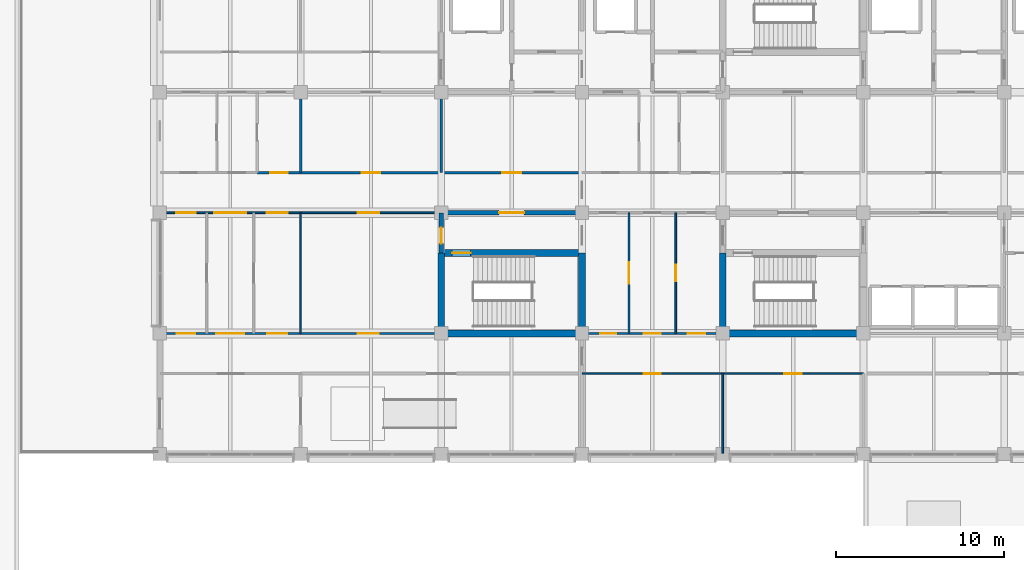
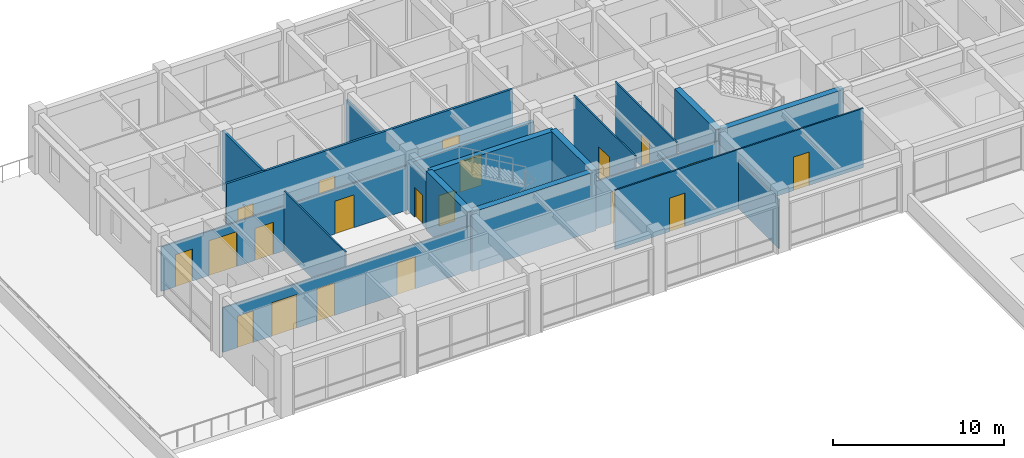
# One storey, part 20 of 40: 21 doors, 19 walls, 21 openings.
"""IFC4 building model written with IfcOpenShell, lengths in metres."""

from ifc_helpers import new_model, si_unit, direction, frame, frame_2d, origin, place, context, subcontext, project, spatial, rectangle, extrude, material, layer, layer_set, type_object, element, fill, save


model = new_model("IFC4")

# Units and contexts
model_context = context("Model", 3, precision=1e-05, world=origin(), true_north=direction((0.0, 1.0)))
body_context = subcontext(model_context, "Body", "Model", "MODEL_VIEW")
ifc_project = project(units=[si_unit("LENGTHUNIT", "METRE"), si_unit("AREAUNIT", "SQUARE_METRE"), si_unit("VOLUMEUNIT", "CUBIC_METRE"), si_unit("PLANEANGLEUNIT", "RADIAN"), si_unit("MASSUNIT", "GRAM", prefix="KILO")], contexts=[model_context])

# Site, building, storey
site_placement = place(None, origin())
site = spatial("IfcSite", under=ifc_project, at=site_placement, CompositionType="ELEMENT")
building_placement = place(site_placement, origin())
building = spatial("IfcBuilding", under=site, at=building_placement, Name="Chengyuan Square Courthouse", CompositionType="ELEMENT")
storey_placement = place(building_placement, frame((0.0, 0.0, 21.60009765625)))
storey = spatial("IfcBuildingStorey", under=building, at=storey_placement, Name="L05", CompositionType="ELEMENT", Elevation=21.60009765625)

# Wall, opening, door
ifc_material_1 = material(Name="Concrete C40", Category="concrete")
ifc_layer_1 = layer(ifc_material_1, 0.25)
ifc_layer_set_1 = layer_set([ifc_layer_1], Name="Concrete C40")
wall_type_1 = type_object("IfcWallType", Name="WL-FW1", PredefinedType="STANDARD", material=ifc_layer_set_1)
wall_1_placement = place(storey_placement, frame((42.0, 93.60009765625, 0.0), z_axis=(0.0, 0.0, 1.0), x_axis=(1.0, 0.0, 0.0)))
wall_1 = element("IfcWall", 1, at=wall_1_placement, inside=storey, type_object=wall_type_1, Name="Interior Wall WL-L05-I2135", PredefinedType="STANDARD", context=body_context, shape_type="SweptSolid", body=[
    extrude(rectangle(XDim=8.39990234375, YDim=0.25, at=frame_2d((4.199951171875, 0.0))), origin(), (0.0, 0.0, 1.0), 3.389892578125),
])
opening_1_placement = place(wall_1_placement, frame((3.449951171875, 0.0, 0.0)))
opening_1 = element("IfcOpeningElement", 2, at=opening_1_placement, cuts=wall_1, Name="Opening DR-1937", PredefinedType="OPENING", context=body_context, shape_type="SweptSolid", body=[
    extrude(rectangle(XDim=1.5, YDim=2.25, at=frame_2d((0.75, 1.125))), frame((0.0, 0.136962890625, 0.0), z_axis=(0.0, -1.0, 0.0), x_axis=(1.0, 0.0, 0.0)), (0.0, 0.0, 1.0), 0.27392578125),
])
ifc_material_2 = material(Name="Steel Q235B Glazed Fire Door", Category="steel")
door_type_1 = type_object("IfcDoorType", Name="DT-19", OperationType="DOUBLE_DOOR_SINGLE_SWING", PredefinedType="DOOR", material=ifc_material_2)
door_1_placement = place(opening_1_placement, frame((1.5, 0.0, 0.0), z_axis=(0.0, 0.0, 1.0), x_axis=(-1.0, 0.0, 0.0)))
door_1 = element("IfcDoor", 3, at=door_1_placement, inside=storey, type_object=door_type_1, Name="Interior Door DR-1937", OperationType="DOUBLE_DOOR_SINGLE_SWING", OverallHeight=2.25, OverallWidth=1.5, PredefinedType="DOOR", context=body_context, shape_type="SweptSolid", body=[
    extrude(rectangle(XDim=1.5, YDim=2.25, at=frame_2d((0.75, 1.125))), frame((0.0, 0.02490234375, 0.0), z_axis=(0.0, -1.0, 0.0), x_axis=(1.0, 0.0, 0.0)), (0.0, 0.0, 1.0), 0.050048828125),
])
fill(opening_1, door_1)

wall_2_placement = place(storey_placement, frame((42.0, 91.199951171875, 0.0), z_axis=(0.0, 0.0, 1.0), x_axis=(0.0, 1.0, 0.0)))
wall_2 = element("IfcWall", 4, at=wall_2_placement, inside=storey, type_object=wall_type_1, Name="Interior Wall WL-L05-I2232", PredefinedType="STANDARD", context=body_context, shape_type="SweptSolid", body=[
    extrude(rectangle(XDim=2.400146484375, YDim=0.25, at=frame_2d((1.2001953125, 0.0))), origin(), (0.0, 0.0, 1.0), 3.489990234375),
])
opening_2_placement = place(wall_2_placement, frame((0.56494140625, 0.0, 0.0)))
opening_2 = element("IfcOpeningElement", 5, at=opening_2_placement, cuts=wall_2, Name="Opening DR-1938", PredefinedType="OPENING", context=body_context, shape_type="SweptSolid", body=[
    extrude(rectangle(XDim=0.949951171875, YDim=2.14990234375, at=frame_2d((0.47509765625, 1.074951171875))), frame((0.0, 0.136962890625, 0.0), z_axis=(0.0, -1.0, 0.0), x_axis=(1.0, 0.0, 0.0)), (0.0, 0.0, 1.0), 0.27392578125),
])
ifc_material_3 = material(Name="Steel Q235B Fire Door", Category="steel")
door_type_2 = type_object("IfcDoorType", Name="DT-12", OperationType="NOTDEFINED", PredefinedType="DOOR", material=ifc_material_3)
door_2_placement = place(opening_2_placement, origin())
door_2 = element("IfcDoor", 6, at=door_2_placement, inside=storey, type_object=door_type_2, Name="Interior Door DR-1938", OperationType="SINGLE_SWING_RIGHT", OverallHeight=2.14990234375, OverallWidth=0.949951171875, PredefinedType="DOOR", context=body_context, shape_type="SweptSolid", body=[
    extrude(rectangle(XDim=0.949951171875, YDim=2.14990234375, at=frame_2d((0.47509765625, 1.074951171875))), frame((0.0, 0.02490234375, 0.0), z_axis=(0.0, -1.0, 0.0), x_axis=(1.0, 0.0, 0.0)), (0.0, 0.0, 1.0), 0.050048828125),
])
fill(opening_2, door_2)

# Wall, openings, doors
ifc_material_4 = material(Name="Deliberation Room Sound-Insulated Partition")
ifc_layer_2 = layer(ifc_material_4, 0.14990234375)
ifc_layer_set_2 = layer_set([ifc_layer_2], Name="Deliberation Room Sound-Insulated Partition")
wall_type_2 = type_object("IfcWallType", Name="WL-PT3", PredefinedType="STANDARD", material=ifc_layer_set_2)
wall_3_placement = place(storey_placement, frame((31.0, 96.0, 0.0), z_axis=(0.0, 0.0, 1.0), x_axis=(1.0, 0.0, 0.0)))
wall_3 = element("IfcWall", 7, at=wall_3_placement, inside=storey, type_object=wall_type_2, Name="Interior Wall WL-L05-I2144", PredefinedType="STANDARD", context=body_context, shape_type="SweptSolid", body=[
    extrude(rectangle(XDim=19.39990234375, YDim=0.14990234375, at=frame_2d((9.699951171875, 0.0))), origin(), (0.0, 0.0, 1.0), 4.239990234375),
])
opening_3_placement = place(wall_3_placement, frame((0.780029296875, 0.0, 0.0)))
opening_3 = element("IfcOpeningElement", 8, at=opening_3_placement, cuts=wall_3, Name="Opening DR-2006", PredefinedType="OPENING", context=body_context, shape_type="SweptSolid", body=[
    extrude(rectangle(XDim=1.0400390625, YDim=2.199951171875, at=frame_2d((0.52001953125, 1.10009765625))), frame((0.0, 0.0869140625, 0.0), z_axis=(0.0, -1.0, 0.0), x_axis=(1.0, 0.0, 0.0)), (0.0, 0.0, 1.0), 0.173828125),
])
opening_4_placement = place(wall_3_placement, frame((6.260009765625, 0.0, 0.0)))
opening_4 = element("IfcOpeningElement", 9, at=opening_4_placement, cuts=wall_3, Name="Opening DR-2007", PredefinedType="OPENING", context=body_context, shape_type="SweptSolid", body=[
    extrude(rectangle(XDim=1.080078125, YDim=2.25, at=frame_2d((0.5400390625, 1.125))), frame((0.0, 0.0869140625, 0.0), z_axis=(0.0, -1.0, 0.0), x_axis=(1.0, 0.0, 0.0)), (0.0, 0.0, 1.0), 0.173828125),
])
opening_5_placement = place(wall_3_placement, frame((14.639892578125, 0.0, 0.0)))
opening_5 = element("IfcOpeningElement", 10, at=opening_5_placement, cuts=wall_3, Name="Opening DR-2008", PredefinedType="OPENING", context=body_context, shape_type="SweptSolid", body=[
    extrude(rectangle(XDim=1.1201171875, YDim=2.25, at=frame_2d((0.56005859375, 1.125))), frame((0.0, 0.0869140625, 0.0), z_axis=(0.0, -1.0, 0.0), x_axis=(1.0, 0.0, 0.0)), (0.0, 0.0, 1.0), 0.173828125),
])
ifc_material_5 = material(Name="Acoustic Solid-Core Timber Door", Category="wood")
door_type_3 = type_object("IfcDoorType", Name="DT-32", OperationType="NOTDEFINED", PredefinedType="DOOR", material=ifc_material_5)
door_3_placement = place(opening_3_placement, origin())
door_3 = element("IfcDoor", 11, at=door_3_placement, inside=storey, type_object=door_type_3, Name="Interior Door DR-2006", OperationType="SINGLE_SWING_LEFT", OverallHeight=2.199951171875, OverallWidth=1.0400390625, PredefinedType="DOOR", context=body_context, shape_type="SweptSolid", body=[
    extrude(rectangle(XDim=1.0400390625, YDim=2.199951171875, at=frame_2d((0.52001953125, 1.10009765625))), frame((0.0, 0.02490234375, 0.0), z_axis=(0.0, -1.0, 0.0), x_axis=(1.0, 0.0, 0.0)), (0.0, 0.0, 1.0), 0.050048828125),
])
fill(opening_3, door_3)
door_type_4 = type_object("IfcDoorType", Name="DT-33", OperationType="NOTDEFINED", PredefinedType="DOOR", material=ifc_material_5)
door_4_placement = place(opening_4_placement, origin())
door_4 = element("IfcDoor", 12, at=door_4_placement, inside=storey, type_object=door_type_4, Name="Interior Door DR-2007", OperationType="SINGLE_SWING_RIGHT", OverallHeight=2.25, OverallWidth=1.080078125, PredefinedType="DOOR", context=body_context, shape_type="SweptSolid", body=[
    extrude(rectangle(XDim=1.080078125, YDim=2.25, at=frame_2d((0.5400390625, 1.125))), frame((0.0, 0.02490234375, 0.0), z_axis=(0.0, -1.0, 0.0), x_axis=(1.0, 0.0, 0.0)), (0.0, 0.0, 1.0), 0.050048828125),
])
fill(opening_4, door_4)
door_type_5 = type_object("IfcDoorType", Name="DT-34", OperationType="NOTDEFINED", PredefinedType="DOOR", material=ifc_material_5)
door_5_placement = place(opening_5_placement, origin())
door_5 = element("IfcDoor", 13, at=door_5_placement, inside=storey, type_object=door_type_5, Name="Interior Door DR-2008", OperationType="SINGLE_SWING_LEFT", OverallHeight=2.25, OverallWidth=1.1201171875, PredefinedType="DOOR", context=body_context, shape_type="SweptSolid", body=[
    extrude(rectangle(XDim=1.1201171875, YDim=2.25, at=frame_2d((0.56005859375, 1.125))), frame((0.0, 0.02490234375, 0.0), z_axis=(0.0, -1.0, 0.0), x_axis=(1.0, 0.0, 0.0)), (0.0, 0.0, 1.0), 0.050048828125),
])
fill(opening_5, door_5)

# Walls
wall_4_placement = place(storey_placement, frame((33.60009765625, 96.0, 0.0), z_axis=(0.0, 0.0, 1.0), x_axis=(0.0, 1.0, 0.0)))
element("IfcWall", 14, at=wall_4_placement, inside=storey, type_object=wall_type_2, Name="Interior Wall WL-L05-I2229", PredefinedType="STANDARD", context=body_context, shape_type="SweptSolid", body=[
    extrude(rectangle(XDim=4.800048828125, YDim=0.14990234375, at=frame_2d((2.39990234375, 0.0))), origin(), (0.0, 0.0, 1.0), 4.239990234375),
])
wall_5_placement = place(storey_placement, frame((42.0, 96.0, 0.0), z_axis=(0.0, 0.0, 1.0), x_axis=(0.0, 1.0, 0.0)))
element("IfcWall", 15, at=wall_5_placement, inside=storey, type_object=wall_type_2, Name="Interior Wall WL-L05-I2233", PredefinedType="STANDARD", context=body_context, shape_type="SweptSolid", body=[
    extrude(rectangle(XDim=4.800048828125, YDim=0.14990234375, at=frame_2d((2.39990234375, 0.0))), origin(), (0.0, 0.0, 1.0), 3.489990234375),
])

# Wall, openings, doors
ifc_material_6 = material(Name="Gypsum Plasterboard Acoustic Stud Partition")
ifc_layer_3 = layer(ifc_material_6, 0.10009765625)
ifc_layer_set_3 = layer_set([ifc_layer_3], Name="Gypsum Plasterboard Acoustic Stud Partition")
wall_type_3 = type_object("IfcWallType", Name="WL-PT6", PredefinedType="STANDARD", material=ifc_layer_set_3)
wall_6_placement = place(storey_placement, frame((50.39990234375, 84.0, 0.0), z_axis=(0.0, 0.0, 1.0), x_axis=(1.0, 0.0, 0.0)))
wall_6 = element("IfcWall", 16, at=wall_6_placement, inside=storey, type_object=wall_type_3, Name="Interior Wall WL-L05-I2104", PredefinedType="STANDARD", context=body_context, shape_type="SweptSolid", body=[
    extrude(rectangle(XDim=16.800048828125, YDim=0.10009765625, at=frame_2d((8.39990234375, 0.0))), origin(), (0.0, 0.0, 1.0), 4.239990234375),
])
opening_6_placement = place(wall_6_placement, frame((3.68994140625, 0.0, 0.0)))
opening_6 = element("IfcOpeningElement", 17, at=opening_6_placement, cuts=wall_6, Name="Opening DR-2100", PredefinedType="OPENING", context=body_context, shape_type="SweptSolid", body=[
    extrude(rectangle(XDim=1.02001953125, YDim=2.39990234375, at=frame_2d((0.510009765625, 1.199951171875))), frame((0.0, 0.06201171875, 0.0), z_axis=(0.0, -1.0, 0.0), x_axis=(1.0, 0.0, 0.0)), (0.0, 0.0, 1.0), 0.1240234375),
])
opening_7_placement = place(wall_6_placement, frame((12.070068359375, 0.0, 0.0)))
opening_7 = element("IfcOpeningElement", 18, at=opening_7_placement, cuts=wall_6, Name="Opening DR-2101", PredefinedType="OPENING", context=body_context, shape_type="SweptSolid", body=[
    extrude(rectangle(XDim=1.06005859375, YDim=2.39990234375, at=frame_2d((0.530029296875, 1.199951171875))), frame((0.0, 0.06201171875, 0.0), z_axis=(0.0, -1.0, 0.0), x_axis=(1.0, 0.0, 0.0)), (0.0, 0.0, 1.0), 0.1240234375),
])
door_type_6 = type_object("IfcDoorType", Name="DT-41", OperationType="NOTDEFINED", PredefinedType="DOOR", material=ifc_material_5)
door_6_placement = place(opening_6_placement, origin())
door_6 = element("IfcDoor", 19, at=door_6_placement, inside=storey, type_object=door_type_6, Name="Interior Door DR-2100", OperationType="SINGLE_SWING_RIGHT", OverallHeight=2.39990234375, OverallWidth=1.02001953125, PredefinedType="DOOR", context=body_context, shape_type="SweptSolid", body=[
    extrude(rectangle(XDim=1.02001953125, YDim=2.39990234375, at=frame_2d((0.510009765625, 1.199951171875))), frame((0.0, 0.02490234375, 0.0), z_axis=(0.0, -1.0, 0.0), x_axis=(1.0, 0.0, 0.0)), (0.0, 0.0, 1.0), 0.050048828125),
])
fill(opening_6, door_6)
door_type_7 = type_object("IfcDoorType", Name="DT-42", OperationType="NOTDEFINED", PredefinedType="DOOR", material=ifc_material_5)
door_7_placement = place(opening_7_placement, origin())
door_7 = element("IfcDoor", 20, at=door_7_placement, inside=storey, type_object=door_type_7, Name="Interior Door DR-2101", OperationType="SINGLE_SWING_LEFT", OverallHeight=2.39990234375, OverallWidth=1.06005859375, PredefinedType="DOOR", context=body_context, shape_type="SweptSolid", body=[
    extrude(rectangle(XDim=1.06005859375, YDim=2.39990234375, at=frame_2d((0.530029296875, 1.199951171875))), frame((0.0, 0.02490234375, 0.0), z_axis=(0.0, -1.0, 0.0), x_axis=(1.0, 0.0, 0.0)), (0.0, 0.0, 1.0), 0.050048828125),
])
fill(opening_7, door_7)

wall_7_placement = place(storey_placement, frame((25.239990234375, 86.39990234375, 0.0), z_axis=(0.0, 0.0, 1.0), x_axis=(1.0, 0.0, 0.0)))
wall_7 = element("IfcWall", 21, at=wall_7_placement, inside=storey, type_object=wall_type_3, Name="Interior Wall WL-L05-I2109", PredefinedType="STANDARD", context=body_context, shape_type="SweptSolid", body=[
    extrude(rectangle(XDim=16.760009765625, YDim=0.10009765625, at=frame_2d((8.3798828125, 0.0))), origin(), (0.0, 0.0, 1.0), 3.18994140625),
])
opening_8_placement = place(wall_7_placement, frame((0.97998046875, 0.0, 0.0)))
opening_8 = element("IfcOpeningElement", 22, at=opening_8_placement, cuts=wall_7, Name="Opening DR-2058", PredefinedType="OPENING", context=body_context, shape_type="SweptSolid", body=[
    extrude(rectangle(XDim=1.080078125, YDim=2.25, at=frame_2d((0.5400390625, 1.125))), frame((0.0, 0.06201171875, 0.0), z_axis=(0.0, -1.0, 0.0), x_axis=(1.0, 0.0, 0.0)), (0.0, 0.0, 1.0), 0.1240234375),
])
opening_9_placement = place(wall_7_placement, frame((3.3349609375, 0.0, 0.0)))
opening_9 = element("IfcOpeningElement", 23, at=opening_9_placement, cuts=wall_7, Name="Opening DR-2060", PredefinedType="OPENING", context=body_context, shape_type="SweptSolid", body=[
    extrude(rectangle(XDim=1.64990234375, YDim=2.39990234375, at=frame_2d((0.824951171875, 1.199951171875))), frame((0.0, 0.06201171875, 0.0), z_axis=(0.0, -1.0, 0.0), x_axis=(1.0, 0.0, 0.0)), (0.0, 0.0, 1.0), 0.1240234375),
])
opening_10_placement = place(wall_7_placement, frame((6.360107421875, 0.0, 0.0)))
opening_10 = element("IfcOpeningElement", 24, at=opening_10_placement, cuts=wall_7, Name="Opening DR-2061", PredefinedType="OPENING", context=body_context, shape_type="SweptSolid", body=[
    extrude(rectangle(XDim=1.199951171875, YDim=2.35009765625, at=frame_2d((0.60009765625, 1.175048828125))), frame((0.0, 0.06201171875, 0.0), z_axis=(0.0, -1.0, 0.0), x_axis=(1.0, 0.0, 0.0)), (0.0, 0.0, 1.0), 0.1240234375),
])
opening_11_placement = place(wall_7_placement, frame((11.780029296875, 0.0, 0.0)))
opening_11 = element("IfcOpeningElement", 25, at=opening_11_placement, cuts=wall_7, Name="Opening DR-2062", PredefinedType="OPENING", context=body_context, shape_type="SweptSolid", body=[
    extrude(rectangle(XDim=1.239990234375, YDim=2.300048828125, at=frame_2d((0.6201171875, 1.14990234375))), frame((0.0, 0.06201171875, 0.0), z_axis=(0.0, -1.0, 0.0), x_axis=(1.0, 0.0, 0.0)), (0.0, 0.0, 1.0), 0.1240234375),
])
ifc_material_7 = material(Name="Acoustic Larch Veneer Double Door")
door_type_8 = type_object("IfcDoorType", Name="DT-22", OperationType="DOUBLE_DOOR_SINGLE_SWING", PredefinedType="DOOR", material=ifc_material_7)
door_8_placement = place(opening_9_placement, frame((1.64990234375, 0.0, 0.0), z_axis=(0.0, 0.0, 1.0), x_axis=(-1.0, 0.0, 0.0)))
door_8 = element("IfcDoor", 26, at=door_8_placement, inside=storey, type_object=door_type_8, Name="Interior Door DR-2060", OperationType="DOUBLE_DOOR_SINGLE_SWING", OverallHeight=2.39990234375, OverallWidth=1.64990234375, PredefinedType="DOOR", context=body_context, shape_type="SweptSolid", body=[
    extrude(rectangle(XDim=1.64990234375, YDim=2.39990234375, at=frame_2d((0.824951171875, 1.199951171875))), frame((0.0, 0.02490234375, 0.0), z_axis=(0.0, -1.0, 0.0), x_axis=(1.0, 0.0, 0.0)), (0.0, 0.0, 1.0), 0.050048828125),
])
fill(opening_9, door_8)
door_9_placement = place(opening_8_placement, origin())
door_9 = element("IfcDoor", 27, at=door_9_placement, inside=storey, type_object=door_type_4, Name="Interior Door DR-2058", OperationType="SINGLE_SWING_LEFT", OverallHeight=2.25, OverallWidth=1.080078125, PredefinedType="DOOR", context=body_context, shape_type="SweptSolid", body=[
    extrude(rectangle(XDim=1.080078125, YDim=2.25, at=frame_2d((0.5400390625, 1.125))), frame((0.0, 0.02490234375, 0.0), z_axis=(0.0, -1.0, 0.0), x_axis=(1.0, 0.0, 0.0)), (0.0, 0.0, 1.0), 0.050048828125),
])
fill(opening_8, door_9)
door_type_9 = type_object("IfcDoorType", Name="DT-36", OperationType="NOTDEFINED", PredefinedType="DOOR", material=ifc_material_5)
door_10_placement = place(opening_10_placement, origin())
door_10 = element("IfcDoor", 28, at=door_10_placement, inside=storey, type_object=door_type_9, Name="Interior Door DR-2061", OperationType="SINGLE_SWING_LEFT", OverallHeight=2.35009765625, OverallWidth=1.199951171875, PredefinedType="DOOR", context=body_context, shape_type="SweptSolid", body=[
    extrude(rectangle(XDim=1.199951171875, YDim=2.35009765625, at=frame_2d((0.60009765625, 1.175048828125))), frame((0.0, 0.02490234375, 0.0), z_axis=(0.0, -1.0, 0.0), x_axis=(1.0, 0.0, 0.0)), (0.0, 0.0, 1.0), 0.050048828125),
])
fill(opening_10, door_10)
door_type_10 = type_object("IfcDoorType", Name="DT-37", OperationType="NOTDEFINED", PredefinedType="DOOR", material=ifc_material_5)
door_11_placement = place(opening_11_placement, origin())
door_11 = element("IfcDoor", 29, at=door_11_placement, inside=storey, type_object=door_type_10, Name="Interior Door DR-2062", OperationType="SINGLE_SWING_RIGHT", OverallHeight=2.300048828125, OverallWidth=1.239990234375, PredefinedType="DOOR", context=body_context, shape_type="SweptSolid", body=[
    extrude(rectangle(XDim=1.239990234375, YDim=2.300048828125, at=frame_2d((0.6201171875, 1.14990234375))), frame((0.0, 0.02490234375, 0.0), z_axis=(0.0, -1.0, 0.0), x_axis=(1.0, 0.0, 0.0)), (0.0, 0.0, 1.0), 0.050048828125),
])
fill(opening_11, door_11)

wall_8_placement = place(storey_placement, frame((50.39990234375, 86.39990234375, 0.0), z_axis=(0.0, 0.0, 1.0), x_axis=(1.0, 0.0, 0.0)))
wall_8 = element("IfcWall", 30, at=wall_8_placement, inside=storey, type_object=wall_type_3, Name="Interior Wall WL-L05-I2111", PredefinedType="STANDARD", context=body_context, shape_type="SweptSolid", body=[
    extrude(rectangle(XDim=8.400146484375, YDim=0.10009765625, at=frame_2d((4.2001953125, 0.0))), origin(), (0.0, 0.0, 1.0), 3.389892578125),
])
opening_12_placement = place(wall_8_placement, frame((1.090087890625, 0.0, 0.0)))
opening_12 = element("IfcOpeningElement", 31, at=opening_12_placement, cuts=wall_8, Name="Opening DR-2064", PredefinedType="OPENING", context=body_context, shape_type="SweptSolid", body=[
    extrude(rectangle(XDim=0.93994140625, YDim=2.300048828125, at=frame_2d((0.469970703125, 1.14990234375))), frame((0.0, 0.06201171875, 0.0), z_axis=(0.0, -1.0, 0.0), x_axis=(1.0, 0.0, 0.0)), (0.0, 0.0, 1.0), 0.1240234375),
])
opening_13_placement = place(wall_8_placement, frame((3.68994140625, 0.0, 0.0)))
opening_13 = element("IfcOpeningElement", 32, at=opening_13_placement, cuts=wall_8, Name="Opening DR-2066", PredefinedType="OPENING", context=body_context, shape_type="SweptSolid", body=[
    extrude(rectangle(XDim=1.02001953125, YDim=2.39990234375, at=frame_2d((0.510009765625, 1.199951171875))), frame((0.0, 0.06201171875, 0.0), z_axis=(0.0, -1.0, 0.0), x_axis=(1.0, 0.0, 0.0)), (0.0, 0.0, 1.0), 0.1240234375),
])
opening_14_placement = place(wall_8_placement, frame((6.31005859375, 0.0, 0.0)))
opening_14 = element("IfcOpeningElement", 33, at=opening_14_placement, cuts=wall_8, Name="Opening DR-2067", PredefinedType="OPENING", context=body_context, shape_type="SweptSolid", body=[
    extrude(rectangle(XDim=1.06005859375, YDim=2.39990234375, at=frame_2d((0.530029296875, 1.199951171875))), frame((0.0, 0.06201171875, 0.0), z_axis=(0.0, -1.0, 0.0), x_axis=(1.0, 0.0, 0.0)), (0.0, 0.0, 1.0), 0.1240234375),
])
door_type_11 = type_object("IfcDoorType", Name="DT-39", OperationType="NOTDEFINED", PredefinedType="DOOR", material=ifc_material_5)
door_12_placement = place(opening_12_placement, origin())
door_12 = element("IfcDoor", 34, at=door_12_placement, inside=storey, type_object=door_type_11, Name="Interior Door DR-2064", OperationType="SINGLE_SWING_RIGHT", OverallHeight=2.300048828125, OverallWidth=0.93994140625, PredefinedType="DOOR", context=body_context, shape_type="SweptSolid", body=[
    extrude(rectangle(XDim=0.93994140625, YDim=2.300048828125, at=frame_2d((0.469970703125, 1.14990234375))), frame((0.0, 0.02490234375, 0.0), z_axis=(0.0, -1.0, 0.0), x_axis=(1.0, 0.0, 0.0)), (0.0, 0.0, 1.0), 0.050048828125),
])
fill(opening_12, door_12)
door_13_placement = place(opening_13_placement, origin())
door_13 = element("IfcDoor", 35, at=door_13_placement, inside=storey, type_object=door_type_6, Name="Interior Door DR-2066", OperationType="SINGLE_SWING_RIGHT", OverallHeight=2.39990234375, OverallWidth=1.02001953125, PredefinedType="DOOR", context=body_context, shape_type="SweptSolid", body=[
    extrude(rectangle(XDim=1.02001953125, YDim=2.39990234375, at=frame_2d((0.510009765625, 1.199951171875))), frame((0.0, 0.02490234375, 0.0), z_axis=(0.0, -1.0, 0.0), x_axis=(1.0, 0.0, 0.0)), (0.0, 0.0, 1.0), 0.050048828125),
])
fill(opening_13, door_13)
door_14_placement = place(opening_14_placement, origin())
door_14 = element("IfcDoor", 36, at=door_14_placement, inside=storey, type_object=door_type_7, Name="Interior Door DR-2067", OperationType="SINGLE_SWING_LEFT", OverallHeight=2.39990234375, OverallWidth=1.06005859375, PredefinedType="DOOR", context=body_context, shape_type="SweptSolid", body=[
    extrude(rectangle(XDim=1.06005859375, YDim=2.39990234375, at=frame_2d((0.530029296875, 1.199951171875))), frame((0.0, 0.02490234375, 0.0), z_axis=(0.0, -1.0, 0.0), x_axis=(1.0, 0.0, 0.0)), (0.0, 0.0, 1.0), 0.050048828125),
])
fill(opening_14, door_14)

wall_9_placement = place(storey_placement, frame((25.239990234375, 93.60009765625, 0.0), z_axis=(0.0, 0.0, 1.0), x_axis=(1.0, 0.0, 0.0)))
wall_9 = element("IfcWall", 37, at=wall_9_placement, inside=storey, type_object=wall_type_3, Name="Interior Wall WL-L05-I2134", PredefinedType="STANDARD", context=body_context, shape_type="SweptSolid", body=[
    extrude(rectangle(XDim=16.760009765625, YDim=0.10009765625, at=frame_2d((8.3798828125, 0.0))), origin(), (0.0, 0.0, 1.0), 3.18994140625),
])
opening_15_placement = place(wall_9_placement, frame((0.93994140625, 0.0, 0.0)))
opening_15 = element("IfcOpeningElement", 38, at=opening_15_placement, cuts=wall_9, Name="Opening DR-2009", PredefinedType="OPENING", context=body_context, shape_type="SweptSolid", body=[
    extrude(rectangle(XDim=1.159912109375, YDim=2.300048828125, at=frame_2d((0.580078125, 1.14990234375))), frame((0.0, 0.06201171875, 0.0), z_axis=(0.0, -1.0, 0.0), x_axis=(1.0, 0.0, 0.0)), (0.0, 0.0, 1.0), 0.1240234375),
])
opening_16_placement = place(wall_9_placement, frame((3.2099609375, 0.0, 0.0)))
opening_16 = element("IfcOpeningElement", 39, at=opening_16_placement, cuts=wall_9, Name="Opening DR-2010", PredefinedType="OPENING", context=body_context, shape_type="SweptSolid", body=[
    extrude(rectangle(XDim=1.89990234375, YDim=2.5, at=frame_2d((0.949951171875, 1.25))), frame((0.0, 0.06201171875, 0.0), z_axis=(0.0, -1.0, 0.0), x_axis=(1.0, 0.0, 0.0)), (0.0, 0.0, 1.0), 0.1240234375),
])
opening_17_placement = place(wall_9_placement, frame((6.340087890625, 0.0, 0.0)))
opening_17 = element("IfcOpeningElement", 40, at=opening_17_placement, cuts=wall_9, Name="Opening DR-2011", PredefinedType="OPENING", context=body_context, shape_type="SweptSolid", body=[
    extrude(rectangle(XDim=1.239990234375, YDim=2.300048828125, at=frame_2d((0.6201171875, 1.14990234375))), frame((0.0, 0.06201171875, 0.0), z_axis=(0.0, -1.0, 0.0), x_axis=(1.0, 0.0, 0.0)), (0.0, 0.0, 1.0), 0.1240234375),
])
opening_18_placement = place(wall_9_placement, frame((11.760009765625, 0.0, 0.0)))
opening_18 = element("IfcOpeningElement", 41, at=opening_18_placement, cuts=wall_9, Name="Opening DR-2012", PredefinedType="OPENING", context=body_context, shape_type="SweptSolid", body=[
    extrude(rectangle(XDim=1.280029296875, YDim=2.35009765625, at=frame_2d((0.64013671875, 1.175048828125))), frame((0.0, 0.06201171875, 0.0), z_axis=(0.0, -1.0, 0.0), x_axis=(1.0, 0.0, 0.0)), (0.0, 0.0, 1.0), 0.1240234375),
])
door_type_12 = type_object("IfcDoorType", Name="DT-26", OperationType="DOUBLE_DOOR_SINGLE_SWING", PredefinedType="DOOR", material=ifc_material_7)
door_15_placement = place(opening_16_placement, frame((1.89990234375, 0.0, 0.0), z_axis=(0.0, 0.0, 1.0), x_axis=(-1.0, 0.0, 0.0)))
door_15 = element("IfcDoor", 42, at=door_15_placement, inside=storey, type_object=door_type_12, Name="Interior Door DR-2010", OperationType="DOUBLE_DOOR_SINGLE_SWING", OverallHeight=2.5, OverallWidth=1.89990234375, PredefinedType="DOOR", context=body_context, shape_type="SweptSolid", body=[
    extrude(rectangle(XDim=1.89990234375, YDim=2.5, at=frame_2d((0.949951171875, 1.25))), frame((0.0, 0.02490234375, 0.0), z_axis=(0.0, -1.0, 0.0), x_axis=(1.0, 0.0, 0.0)), (0.0, 0.0, 1.0), 0.050048828125),
])
fill(opening_16, door_15)
door_type_13 = type_object("IfcDoorType", Name="DT-35", OperationType="NOTDEFINED", PredefinedType="DOOR", material=ifc_material_5)
door_16_placement = place(opening_15_placement, origin())
door_16 = element("IfcDoor", 43, at=door_16_placement, inside=storey, type_object=door_type_13, Name="Interior Door DR-2009", OperationType="SINGLE_SWING_RIGHT", OverallHeight=2.300048828125, OverallWidth=1.159912109375, PredefinedType="DOOR", context=body_context, shape_type="SweptSolid", body=[
    extrude(rectangle(XDim=1.159912109375, YDim=2.300048828125, at=frame_2d((0.580078125, 1.14990234375))), frame((0.0, 0.02490234375, 0.0), z_axis=(0.0, -1.0, 0.0), x_axis=(1.0, 0.0, 0.0)), (0.0, 0.0, 1.0), 0.050048828125),
])
fill(opening_15, door_16)
door_17_placement = place(opening_17_placement, origin())
door_17 = element("IfcDoor", 44, at=door_17_placement, inside=storey, type_object=door_type_10, Name="Interior Door DR-2011", OperationType="SINGLE_SWING_LEFT", OverallHeight=2.300048828125, OverallWidth=1.239990234375, PredefinedType="DOOR", context=body_context, shape_type="SweptSolid", body=[
    extrude(rectangle(XDim=1.239990234375, YDim=2.300048828125, at=frame_2d((0.6201171875, 1.14990234375))), frame((0.0, 0.02490234375, 0.0), z_axis=(0.0, -1.0, 0.0), x_axis=(1.0, 0.0, 0.0)), (0.0, 0.0, 1.0), 0.050048828125),
])
fill(opening_17, door_17)
door_type_14 = type_object("IfcDoorType", Name="DT-38", OperationType="NOTDEFINED", PredefinedType="DOOR", material=ifc_material_5)
door_18_placement = place(opening_18_placement, origin())
door_18 = element("IfcDoor", 45, at=door_18_placement, inside=storey, type_object=door_type_14, Name="Interior Door DR-2012", OperationType="SINGLE_SWING_RIGHT", OverallHeight=2.35009765625, OverallWidth=1.280029296875, PredefinedType="DOOR", context=body_context, shape_type="SweptSolid", body=[
    extrude(rectangle(XDim=1.280029296875, YDim=2.35009765625, at=frame_2d((0.64013671875, 1.175048828125))), frame((0.0, 0.02490234375, 0.0), z_axis=(0.0, -1.0, 0.0), x_axis=(1.0, 0.0, 0.0)), (0.0, 0.0, 1.0), 0.050048828125),
])
fill(opening_18, door_18)

# Wall
wall_10_placement = place(storey_placement, frame((33.60009765625, 86.39990234375, 0.0), z_axis=(0.0, 0.0, 1.0), x_axis=(0.0, 1.0, 0.0)))
element("IfcWall", 46, at=wall_10_placement, inside=storey, type_object=wall_type_3, Name="Interior Wall WL-L05-I2228", PredefinedType="STANDARD", context=body_context, shape_type="SweptSolid", body=[
    extrude(rectangle(XDim=7.2001953125, YDim=0.10009765625, at=frame_2d((3.60009765625, 0.0))), origin(), (0.0, 0.0, 1.0), 4.239990234375),
])

# Wall, opening, door
wall_11_placement = place(storey_placement, frame((53.199951171875, 86.39990234375, 0.0), z_axis=(0.0, 0.0, 1.0), x_axis=(0.0, 1.0, 0.0)))
wall_11 = element("IfcWall", 47, at=wall_11_placement, inside=storey, type_object=wall_type_3, Name="Interior Wall WL-L05-I2245", PredefinedType="STANDARD", context=body_context, shape_type="SweptSolid", body=[
    extrude(rectangle(XDim=7.2001953125, YDim=0.10009765625, at=frame_2d((3.60009765625, 0.0))), origin(), (0.0, 0.0, 1.0), 4.239990234375),
])
opening_19_placement = place(wall_11_placement, frame((2.9599609375, 0.0, 0.0)))
opening_19 = element("IfcOpeningElement", 48, at=opening_19_placement, cuts=wall_11, Name="Opening DR-2063", PredefinedType="OPENING", context=body_context, shape_type="SweptSolid", body=[
    extrude(rectangle(XDim=1.280029296875, YDim=2.35009765625, at=frame_2d((0.64013671875, 1.175048828125))), frame((0.0, 0.06201171875, 0.0), z_axis=(0.0, -1.0, 0.0), x_axis=(1.0, 0.0, 0.0)), (0.0, 0.0, 1.0), 0.1240234375),
])
door_19_placement = place(opening_19_placement, origin())
door_19 = element("IfcDoor", 49, at=door_19_placement, inside=storey, type_object=door_type_14, Name="Interior Door DR-2063", OperationType="SINGLE_SWING_LEFT", OverallHeight=2.35009765625, OverallWidth=1.280029296875, PredefinedType="DOOR", context=body_context, shape_type="SweptSolid", body=[
    extrude(rectangle(XDim=1.280029296875, YDim=2.35009765625, at=frame_2d((0.64013671875, 1.175048828125))), frame((0.0, 0.02490234375, 0.0), z_axis=(0.0, -1.0, 0.0), x_axis=(1.0, 0.0, 0.0)), (0.0, 0.0, 1.0), 0.050048828125),
])
fill(opening_19, door_19)

wall_12_placement = place(storey_placement, frame((56.0, 86.39990234375, 0.0), z_axis=(0.0, 0.0, 1.0), x_axis=(0.0, 1.0, 0.0)))
wall_12 = element("IfcWall", 50, at=wall_12_placement, inside=storey, type_object=wall_type_3, Name="Interior Wall WL-L05-I2250", PredefinedType="STANDARD", context=body_context, shape_type="SweptSolid", body=[
    extrude(rectangle(XDim=7.2001953125, YDim=0.10009765625, at=frame_2d((3.60009765625, 0.0))), origin(), (0.0, 0.0, 1.0), 4.239990234375),
])
opening_20_placement = place(wall_12_placement, frame((3.110107421875, 0.0, 0.0)))
opening_20 = element("IfcOpeningElement", 51, at=opening_20_placement, cuts=wall_12, Name="Opening DR-2065", PredefinedType="OPENING", context=body_context, shape_type="SweptSolid", body=[
    extrude(rectangle(XDim=0.97998046875, YDim=2.35009765625, at=frame_2d((0.489990234375, 1.175048828125))), frame((0.0, 0.06201171875, 0.0), z_axis=(0.0, -1.0, 0.0), x_axis=(1.0, 0.0, 0.0)), (0.0, 0.0, 1.0), 0.1240234375),
])
door_type_15 = type_object("IfcDoorType", Name="DT-40", OperationType="NOTDEFINED", PredefinedType="DOOR", material=ifc_material_5)
door_20_placement = place(opening_20_placement, origin())
door_20 = element("IfcDoor", 52, at=door_20_placement, inside=storey, type_object=door_type_15, Name="Interior Door DR-2065", OperationType="SINGLE_SWING_LEFT", OverallHeight=2.35009765625, OverallWidth=0.97998046875, PredefinedType="DOOR", context=body_context, shape_type="SweptSolid", body=[
    extrude(rectangle(XDim=0.97998046875, YDim=2.35009765625, at=frame_2d((0.489990234375, 1.175048828125))), frame((0.0, 0.02490234375, 0.0), z_axis=(0.0, -1.0, 0.0), x_axis=(1.0, 0.0, 0.0)), (0.0, 0.0, 1.0), 0.050048828125),
])
fill(opening_20, door_20)

# Walls
wall_13_placement = place(storey_placement, frame((58.800048828125, 79.239990234375, 0.0), z_axis=(0.0, 0.0, 1.0), x_axis=(0.0, 1.0, 0.0)))
element("IfcWall", 53, at=wall_13_placement, inside=storey, type_object=wall_type_3, Name="Interior Wall WL-L05-I2252", PredefinedType="STANDARD", context=body_context, shape_type="SweptSolid", body=[
    extrude(rectangle(XDim=4.760009765625, YDim=0.10009765625, at=frame_2d((2.3798828125, 0.0))), origin(), (0.0, 0.0, 1.0), 3.489990234375),
])
ifc_material_8 = material(Name="Concrete C50", Category="concrete")
ifc_layer_4 = layer(ifc_material_8, 0.39990234375)
ifc_layer_set_4 = layer_set([ifc_layer_4], Name="Concrete C50")
wall_type_4 = type_object("IfcWallType", Name="WL-SW1", PredefinedType="SHEAR", material=ifc_layer_set_4)
for number, where, z_axis, x_axis, name in (
    (54, (42.0, 86.39990234375, 0.0), (0.0, 0.0, 1.0), (1.0, 0.0, 0.0), "Interior Wall WL-L05-I2110"),
    (55, (58.800048828125, 86.39990234375, 0.0), (0.0, 0.0, 1.0), (1.0, 0.0, 0.0), "Interior Wall WL-L05-I2112"),
):
    element("IfcWall", number, at=place(storey_placement, frame(where, z_axis=z_axis, x_axis=x_axis)), inside=storey, type_object=wall_type_4, Name=name, PredefinedType="SHEAR", context=body_context, shape_type="SweptSolid", body=[
        extrude(rectangle(XDim=8.39990234375, YDim=0.39990234375, at=frame_2d((4.199951171875, 0.0))), origin(), (0.0, 0.0, 1.0), 4.239990234375),
    ])

# Wall, opening, door
wall_14_placement = place(storey_placement, frame((42.0, 91.199951171875, 0.0), z_axis=(0.0, 0.0, 1.0), x_axis=(1.0, 0.0, 0.0)))
wall_14 = element("IfcWall", 56, at=wall_14_placement, inside=storey, type_object=wall_type_4, Name="Interior Wall WL-L05-I2129", PredefinedType="SHEAR", context=body_context, shape_type="SweptSolid", body=[
    extrude(rectangle(XDim=8.39990234375, YDim=0.39990234375, at=frame_2d((4.199951171875, 0.0))), origin(), (0.0, 0.0, 1.0), 4.239990234375),
])
opening_21_placement = place(wall_14_placement, frame((0.64990234375, 0.0, 0.0)))
opening_21 = element("IfcOpeningElement", 57, at=opening_21_placement, cuts=wall_14, Name="Opening DR-1923", PredefinedType="OPENING", context=body_context, shape_type="SweptSolid", body=[
    extrude(rectangle(XDim=1.10009765625, YDim=2.199951171875, at=frame_2d((0.550048828125, 1.10009765625))), frame((0.0, 0.2119140625, 0.0), z_axis=(0.0, -1.0, 0.0), x_axis=(1.0, 0.0, 0.0)), (0.0, 0.0, 1.0), 0.423828125),
])
door_type_16 = type_object("IfcDoorType", Name="DT-10", OperationType="NOTDEFINED", PredefinedType="DOOR", material=ifc_material_3)
door_21_placement = place(opening_21_placement, frame((1.10009765625, 0.0, 0.0), z_axis=(0.0, 0.0, 1.0), x_axis=(-1.0, 0.0, 0.0)))
door_21 = element("IfcDoor", 58, at=door_21_placement, inside=storey, type_object=door_type_16, Name="Smoke-Proof Stairwell Fire Door ST-5 DR-1923", OperationType="SINGLE_SWING_RIGHT", OverallHeight=2.199951171875, OverallWidth=1.10009765625, PredefinedType="DOOR", context=body_context, shape_type="SweptSolid", body=[
    extrude(rectangle(XDim=1.10009765625, YDim=2.199951171875, at=frame_2d((0.550048828125, 1.10009765625))), frame((0.0, 0.02490234375, 0.0), z_axis=(0.0, -1.0, 0.0), x_axis=(1.0, 0.0, 0.0)), (0.0, 0.0, 1.0), 0.050048828125),
])
fill(opening_21, door_21)

# Walls
for number, where, z_axis, x_axis, name in (
    (59, (42.0, 86.39990234375, 0.0), (0.0, 0.0, 1.0), (0.0, 1.0, 0.0), "Interior Wall WL-L05-I2231"),
    (60, (50.39990234375, 86.39990234375, 0.0), (0.0, 0.0, 1.0), (0.0, 1.0, 0.0), "Interior Wall WL-L05-I2241"),
    (61, (58.800048828125, 86.39990234375, 0.0), (0.0, 0.0, 1.0), (0.0, 1.0, 0.0), "Interior Wall WL-L05-I2253"),
):
    element("IfcWall", number, at=place(storey_placement, frame(where, z_axis=z_axis, x_axis=x_axis)), inside=storey, type_object=wall_type_4, Name=name, PredefinedType="SHEAR", context=body_context, shape_type="SweptSolid", body=[
        extrude(rectangle(XDim=4.800048828125, YDim=0.39990234375, at=frame_2d((2.39990234375, 0.0))), origin(), (0.0, 0.0, 1.0), 4.239990234375),
    ])

save(model, "model.ifc")
